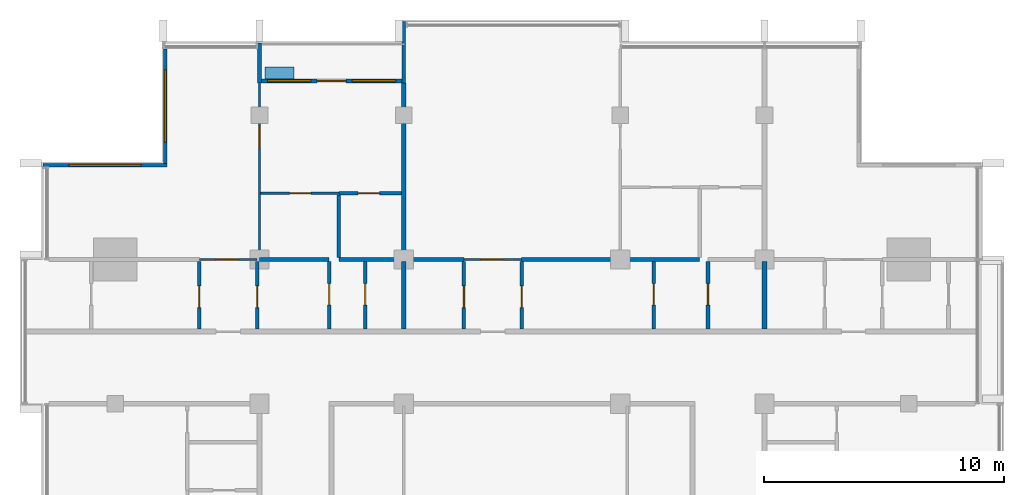
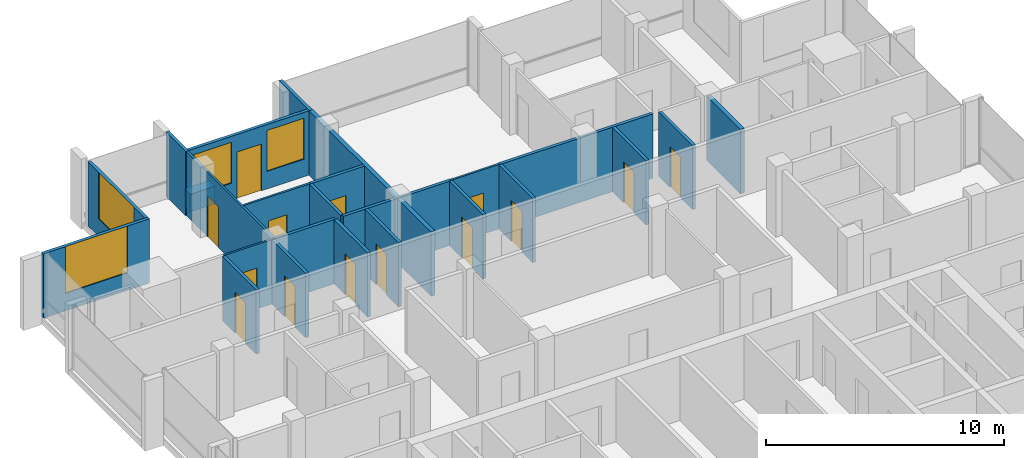
# One storey, part 10 of 16: 26 walls, 14 doors, 4 windows, 18 openings.
"""IFC4 building model written with IfcOpenShell, lengths in metres."""

from ifc_helpers import new_model, si_unit, direction, frame, frame_2d, origin, place, context, subcontext, project, spatial, rectangle, extrude, material, layer, layer_set, type_object, element, fill, save


model = new_model("IFC4")

# Units and contexts
model_context = context("Model", 3, precision=1e-05, world=origin(), true_north=direction((0.0, 1.0)))
body_context = subcontext(model_context, "Body", "Model", "MODEL_VIEW")
ifc_project = project(units=[si_unit("LENGTHUNIT", "METRE"), si_unit("AREAUNIT", "SQUARE_METRE"), si_unit("VOLUMEUNIT", "CUBIC_METRE"), si_unit("PLANEANGLEUNIT", "RADIAN"), si_unit("MASSUNIT", "GRAM", prefix="KILO")], contexts=[model_context])

# Site, building, storey
site_placement = place(None, origin())
site = spatial("IfcSite", under=ifc_project, at=site_placement, CompositionType="ELEMENT")
building_placement = place(site_placement, origin())
building = spatial("IfcBuilding", under=site, at=building_placement, Name="Finial Court Residences", CompositionType="ELEMENT")
storey_placement = place(building_placement, frame((0.0, 0.0, 291.5)))
storey = spatial("IfcBuildingStorey", under=building, at=storey_placement, Name="L74", CompositionType="ELEMENT", Elevation=291.5)

# Walls
ifc_material_1 = material(Name="Gypsum board")
ifc_layer_1 = layer(ifc_material_1, 0.02490234375)
ifc_material_2 = material(Name="Acoustic mineral wool in double frame")
ifc_layer_2 = layer(ifc_material_2, 0.14990234375)
ifc_layer_3 = layer(ifc_material_1, 0.02490234375)
ifc_layer_set_1 = layer_set([ifc_layer_1, ifc_layer_2, ifc_layer_3], Name="Acoustic party wall 200, 1 hour")
wall_type_1 = type_object("IfcWallType", Name="Acoustic party wall 200, 1 hour", PredefinedType="PARTITIONING", material=ifc_layer_set_1)
wall_1_placement = place(storey_placement, frame((-4.5, 4.60009765625, 0.0), z_axis=(0.0, 0.0, 1.0), x_axis=(0.0, 1.0, 0.0)))
element("IfcWall", 1, at=wall_1_placement, inside=storey, type_object=wall_type_1, Name="Partition L74-043", PredefinedType="PARTITIONING", context=body_context, shape_type="SweptSolid", body=[
    extrude(rectangle(XDim=2.824951171875, YDim=0.199951171875, at=frame_2d((1.41259765625, 0.0))), origin(), (0.0, 0.0, 1.0), 3.300048828125),
])
wall_2_placement = place(storey_placement, frame((-4.5, 7.574951171875, 0.0), z_axis=(0.0, 0.0, 1.0), x_axis=(0.0, 1.0, 0.0)))
element("IfcWall", 2, at=wall_2_placement, inside=storey, type_object=wall_type_1, Name="Partition L74-044", PredefinedType="PARTITIONING", context=body_context, shape_type="SweptSolid", body=[
    extrude(rectangle(XDim=7.275146484375, YDim=0.199951171875, at=frame_2d((3.6376953125, 0.0))), origin(), (0.0, 0.0, 1.0), 3.300048828125),
])
wall_3_placement = place(storey_placement, frame((10.5, 4.60009765625, 0.0), z_axis=(0.0, 0.0, 1.0), x_axis=(0.0, 1.0, 0.0)))
element("IfcWall", 3, at=wall_3_placement, inside=storey, type_object=wall_type_1, Name="Partition L74-054", PredefinedType="PARTITIONING", context=body_context, shape_type="SweptSolid", body=[
    extrude(rectangle(XDim=2.824951171875, YDim=0.199951171875, at=frame_2d((1.41259765625, 0.0))), origin(), (0.0, 0.0, 1.0), 3.300048828125),
])

# Wall, opening, door
ifc_layer_4 = layer(ifc_material_1, 0.012451171875)
ifc_material_3 = material(Name="Mineral wool in light-gauge frame")
ifc_layer_5 = layer(ifc_material_3, 0.074951171875)
ifc_layer_6 = layer(ifc_material_1, 0.012451171875)
ifc_layer_set_2 = layer_set([ifc_layer_4, ifc_layer_5, ifc_layer_6], Name="Gypsum board partition 100")
wall_type_2 = type_object("IfcWallType", Name="Gypsum board partition 100", PredefinedType="PARTITIONING", material=ifc_layer_set_2)
wall_4_placement = place(storey_placement, frame((-13.0, 7.5, 0.0), z_axis=(0.0, 0.0, 1.0), x_axis=(1.0, 0.0, 0.0)))
wall_4 = element("IfcWall", 4, at=wall_4_placement, inside=storey, type_object=wall_type_2, Name="Partition L74-017", PredefinedType="PARTITIONING", context=body_context, shape_type="SweptSolid", body=[
    extrude(rectangle(XDim=2.39990234375, YDim=0.10009765625, at=frame_2d((1.199951171875, 0.0))), origin(), (0.0, 0.0, 1.0), 3.300048828125),
])
opening_1_placement = place(wall_4_placement, frame((0.699951171875, 0.0, 0.0)))
opening_1 = element("IfcOpeningElement", 5, at=opening_1_placement, cuts=wall_4, Name="Opening L74-D019", PredefinedType="OPENING", context=body_context, shape_type="SweptSolid", body=[
    extrude(rectangle(XDim=0.89990234375, YDim=2.10009765625, at=frame_2d((0.449951171875, 1.050048828125))), frame((0.0, 0.06005859375, 0.0), z_axis=(0.0, -1.0, 0.0), x_axis=(1.0, 0.0, 0.0)), (0.0, 0.0, 1.0), 0.1201171875),
])
ifc_material_4 = material(Name="Timber door leaf in timber frame", Category="wood")
door_type_1 = type_object("IfcDoorType", Name="Door set 900 x 2100", OperationType="SINGLE_SWING_LEFT", PredefinedType="DOOR", material=ifc_material_4)
door_1_placement = place(opening_1_placement, origin())
door_1 = element("IfcDoor", 6, at=door_1_placement, inside=storey, type_object=door_type_1, Name="Door L74-D019", OperationType="SINGLE_SWING_RIGHT", OverallHeight=2.10009765625, OverallWidth=0.89990234375, PredefinedType="DOOR", context=body_context, shape_type="SweptSolid", body=[
    extrude(rectangle(XDim=0.89990234375, YDim=2.10009765625, at=frame_2d((0.449951171875, 1.050048828125))), frame((0.0, 0.02490234375, 0.0), z_axis=(0.0, -1.0, 0.0), x_axis=(1.0, 0.0, 0.0)), (0.0, 0.0, 1.0), 0.050048828125),
])
fill(opening_1, door_1)

wall_5_placement = place(storey_placement, frame((-2.0, 7.5, 0.0), z_axis=(0.0, 0.0, 1.0), x_axis=(1.0, 0.0, 0.0)))
wall_5 = element("IfcWall", 7, at=wall_5_placement, inside=storey, type_object=wall_type_2, Name="Partition L74-018", PredefinedType="PARTITIONING", context=body_context, shape_type="SweptSolid", body=[
    extrude(rectangle(XDim=2.39990234375, YDim=0.10009765625, at=frame_2d((1.199951171875, 0.0))), origin(), (0.0, 0.0, 1.0), 3.300048828125),
])
opening_2_placement = place(wall_5_placement, frame((0.699951171875, 0.0, 0.0)))
opening_2 = element("IfcOpeningElement", 8, at=opening_2_placement, cuts=wall_5, Name="Opening L74-D020", PredefinedType="OPENING", context=body_context, shape_type="SweptSolid", body=[
    extrude(rectangle(XDim=0.89990234375, YDim=2.10009765625, at=frame_2d((0.449951171875, 1.050048828125))), frame((0.0, 0.06005859375, 0.0), z_axis=(0.0, -1.0, 0.0), x_axis=(1.0, 0.0, 0.0)), (0.0, 0.0, 1.0), 0.1201171875),
])
door_2_placement = place(opening_2_placement, origin())
door_2 = element("IfcDoor", 9, at=door_2_placement, inside=storey, type_object=door_type_1, Name="Door L74-D020", OperationType="SINGLE_SWING_RIGHT", OverallHeight=2.10009765625, OverallWidth=0.89990234375, PredefinedType="DOOR", context=body_context, shape_type="SweptSolid", body=[
    extrude(rectangle(XDim=0.89990234375, YDim=2.10009765625, at=frame_2d((0.449951171875, 1.050048828125))), frame((0.0, 0.02490234375, 0.0), z_axis=(0.0, -1.0, 0.0), x_axis=(1.0, 0.0, 0.0)), (0.0, 0.0, 1.0), 0.050048828125),
])
fill(opening_2, door_2)

wall_6_placement = place(storey_placement, frame((-10.449951171875, 10.25, 0.0), z_axis=(0.0, 0.0, 1.0), x_axis=(1.0, 0.0, 0.0)))
wall_6 = element("IfcWall", 10, at=wall_6_placement, inside=storey, type_object=wall_type_2, Name="Partition L74-026", PredefinedType="PARTITIONING", context=body_context, shape_type="SweptSolid", body=[
    extrude(rectangle(XDim=3.25, YDim=0.10009765625, at=frame_2d((1.625, 0.0))), origin(), (0.0, 0.0, 1.0), 3.300048828125),
])
opening_3_placement = place(wall_6_placement, frame((1.199951171875, 0.0, 0.0)))
opening_3 = element("IfcOpeningElement", 11, at=opening_3_placement, cuts=wall_6, Name="Opening L74-D022", PredefinedType="OPENING", context=body_context, shape_type="SweptSolid", body=[
    extrude(rectangle(XDim=0.89990234375, YDim=2.10009765625, at=frame_2d((0.449951171875, 1.050048828125))), frame((0.0, 0.06005859375, 0.0), z_axis=(0.0, -1.0, 0.0), x_axis=(1.0, 0.0, 0.0)), (0.0, 0.0, 1.0), 0.1201171875),
])
door_3_placement = place(opening_3_placement, origin())
door_3 = element("IfcDoor", 12, at=door_3_placement, inside=storey, type_object=door_type_1, Name="Door L74-D022", OperationType="SINGLE_SWING_RIGHT", OverallHeight=2.10009765625, OverallWidth=0.89990234375, PredefinedType="DOOR", context=body_context, shape_type="SweptSolid", body=[
    extrude(rectangle(XDim=0.89990234375, YDim=2.10009765625, at=frame_2d((0.449951171875, 1.050048828125))), frame((0.0, 0.02490234375, 0.0), z_axis=(0.0, -1.0, 0.0), x_axis=(1.0, 0.0, 0.0)), (0.0, 0.0, 1.0), 0.050048828125),
])
fill(opening_3, door_3)

wall_7_placement = place(storey_placement, frame((-10.5, 7.574951171875, 0.0), z_axis=(0.0, 0.0, 1.0), x_axis=(0.0, 1.0, 0.0)))
wall_7 = element("IfcWall", 13, at=wall_7_placement, inside=storey, type_object=wall_type_2, Name="Partition L74-037", PredefinedType="PARTITIONING", context=body_context, shape_type="SweptSolid", body=[
    extrude(rectangle(XDim=7.275146484375, YDim=0.10009765625, at=frame_2d((3.6376953125, 0.0))), origin(), (0.0, 0.0, 1.0), 3.300048828125),
])
opening_4_placement = place(wall_7_placement, frame((4.574951171875, 0.0, 0.0)))
opening_4 = element("IfcOpeningElement", 14, at=opening_4_placement, cuts=wall_7, Name="Opening L74-D031", PredefinedType="OPENING", context=body_context, shape_type="SweptSolid", body=[
    extrude(rectangle(XDim=0.89990234375, YDim=2.10009765625, at=frame_2d((0.449951171875, 1.050048828125))), frame((0.0, 0.06005859375, 0.0), z_axis=(0.0, -1.0, 0.0), x_axis=(1.0, 0.0, 0.0)), (0.0, 0.0, 1.0), 0.1201171875),
])
door_4_placement = place(opening_4_placement, origin())
door_4 = element("IfcDoor", 15, at=door_4_placement, inside=storey, type_object=door_type_1, Name="Door L74-D031", OperationType="SINGLE_SWING_RIGHT", OverallHeight=2.10009765625, OverallWidth=0.89990234375, PredefinedType="DOOR", context=body_context, shape_type="SweptSolid", body=[
    extrude(rectangle(XDim=0.89990234375, YDim=2.10009765625, at=frame_2d((0.449951171875, 1.050048828125))), frame((0.0, 0.02490234375, 0.0), z_axis=(0.0, -1.0, 0.0), x_axis=(1.0, 0.0, 0.0)), (0.0, 0.0, 1.0), 0.050048828125),
])
fill(opening_4, door_4)

# Walls
ifc_material_5 = material(Name="Moisture-resistant gypsum board")
ifc_layer_7 = layer(ifc_material_5, 0.012451171875)
ifc_layer_8 = layer(ifc_material_3, 0.125)
ifc_layer_9 = layer(ifc_material_5, 0.012451171875)
ifc_layer_set_3 = layer_set([ifc_layer_7, ifc_layer_8, ifc_layer_9], Name="Gypsum board wet-area partition 150")
wall_type_3 = type_object("IfcWallType", Name="Gypsum board wet-area partition 150", PredefinedType="PARTITIONING", material=ifc_layer_set_3)
wall_8_placement = place(storey_placement, frame((-10.5, 7.5, 0.0), z_axis=(0.0, 0.0, 1.0), x_axis=(1.0, 0.0, 0.0)))
element("IfcWall", 16, at=wall_8_placement, inside=storey, type_object=wall_type_3, Name="Partition L74-021", PredefinedType="PARTITIONING", context=body_context, shape_type="SweptSolid", body=[
    extrude(rectangle(XDim=2.89990234375, YDim=0.14990234375, at=frame_2d((1.449951171875, 0.0))), origin(), (0.0, 0.0, 1.0), 3.300048828125),
])
wall_9_placement = place(storey_placement, frame((-7.199951171875, 7.5, 0.0), z_axis=(0.0, 0.0, 1.0), x_axis=(1.0, 0.0, 0.0)))
element("IfcWall", 17, at=wall_9_placement, inside=storey, type_object=wall_type_3, Name="Partition L74-022", PredefinedType="PARTITIONING", context=body_context, shape_type="SweptSolid", body=[
    extrude(rectangle(XDim=5.199951171875, YDim=0.14990234375, at=frame_2d((2.60009765625, 0.0))), origin(), (0.0, 0.0, 1.0), 3.300048828125),
])
wall_10_placement = place(storey_placement, frame((0.39990234375, 7.5, 0.0), z_axis=(0.0, 0.0, 1.0), x_axis=(1.0, 0.0, 0.0)))
element("IfcWall", 18, at=wall_10_placement, inside=storey, type_object=wall_type_3, Name="Partition L74-023", PredefinedType="PARTITIONING", context=body_context, shape_type="SweptSolid", body=[
    extrude(rectangle(XDim=7.400146484375, YDim=0.14990234375, at=frame_2d((3.7001953125, 0.0))), origin(), (0.0, 0.0, 1.0), 3.300048828125),
])

# Wall, opening, door
wall_11_placement = place(storey_placement, frame((-7.199951171875, 10.25, 0.0), z_axis=(0.0, 0.0, 1.0), x_axis=(1.0, 0.0, 0.0)))
wall_11 = element("IfcWall", 19, at=wall_11_placement, inside=storey, type_object=wall_type_3, Name="Partition L74-027", PredefinedType="PARTITIONING", context=body_context, shape_type="SweptSolid", body=[
    extrude(rectangle(XDim=2.599853515625, YDim=0.14990234375, at=frame_2d((1.2998046875, 0.0))), origin(), (0.0, 0.0, 1.0), 3.300048828125),
])
opening_5_placement = place(wall_11_placement, frame((0.800048828125, 0.0, 0.0)))
opening_5 = element("IfcOpeningElement", 20, at=opening_5_placement, cuts=wall_11, Name="Opening L74-D023", PredefinedType="OPENING", context=body_context, shape_type="SweptSolid", body=[
    extrude(rectangle(XDim=0.89990234375, YDim=2.10009765625, at=frame_2d((0.449951171875, 1.050048828125))), frame((0.0, 0.0849609375, 0.0), z_axis=(0.0, -1.0, 0.0), x_axis=(1.0, 0.0, 0.0)), (0.0, 0.0, 1.0), 0.169921875),
])
door_5_placement = place(opening_5_placement, origin())
door_5 = element("IfcDoor", 21, at=door_5_placement, inside=storey, type_object=door_type_1, Name="Door L74-D023", OperationType="SINGLE_SWING_LEFT", OverallHeight=2.10009765625, OverallWidth=0.89990234375, PredefinedType="DOOR", context=body_context, shape_type="SweptSolid", body=[
    extrude(rectangle(XDim=0.89990234375, YDim=2.10009765625, at=frame_2d((0.449951171875, 1.050048828125))), frame((0.0, 0.02490234375, 0.0), z_axis=(0.0, -1.0, 0.0), x_axis=(1.0, 0.0, 0.0)), (0.0, 0.0, 1.0), 0.050048828125),
])
fill(opening_5, door_5)

wall_12_placement = place(storey_placement, frame((-13.0, 4.60009765625, 0.0), z_axis=(0.0, 0.0, 1.0), x_axis=(0.0, 1.0, 0.0)))
wall_12 = element("IfcWall", 22, at=wall_12_placement, inside=storey, type_object=wall_type_3, Name="Partition L74-034", PredefinedType="PARTITIONING", context=body_context, shape_type="SweptSolid", body=[
    extrude(rectangle(XDim=2.824951171875, YDim=0.14990234375, at=frame_2d((1.41259765625, 0.0))), origin(), (0.0, 0.0, 1.0), 3.300048828125),
])
opening_6_placement = place(wall_12_placement, frame((0.89990234375, 0.0, 0.0)))
opening_6 = element("IfcOpeningElement", 23, at=opening_6_placement, cuts=wall_12, Name="Opening L74-D029", PredefinedType="OPENING", context=body_context, shape_type="SweptSolid", body=[
    extrude(rectangle(XDim=0.89990234375, YDim=2.10009765625, at=frame_2d((0.449951171875, 1.050048828125))), frame((0.0, 0.0849609375, 0.0), z_axis=(0.0, -1.0, 0.0), x_axis=(1.0, 0.0, 0.0)), (0.0, 0.0, 1.0), 0.169921875),
])
door_6_placement = place(opening_6_placement, origin())
door_6 = element("IfcDoor", 24, at=door_6_placement, inside=storey, type_object=door_type_1, Name="Door L74-D029", OperationType="SINGLE_SWING_LEFT", OverallHeight=2.10009765625, OverallWidth=0.89990234375, PredefinedType="DOOR", context=body_context, shape_type="SweptSolid", body=[
    extrude(rectangle(XDim=0.89990234375, YDim=2.10009765625, at=frame_2d((0.449951171875, 1.050048828125))), frame((0.0, 0.02490234375, 0.0), z_axis=(0.0, -1.0, 0.0), x_axis=(1.0, 0.0, 0.0)), (0.0, 0.0, 1.0), 0.050048828125),
])
fill(opening_6, door_6)

wall_13_placement = place(storey_placement, frame((-10.60009765625, 4.60009765625, 0.0), z_axis=(0.0, 0.0, 1.0), x_axis=(0.0, 1.0, 0.0)))
wall_13 = element("IfcWall", 25, at=wall_13_placement, inside=storey, type_object=wall_type_3, Name="Partition L74-035", PredefinedType="PARTITIONING", context=body_context, shape_type="SweptSolid", body=[
    extrude(rectangle(XDim=2.824951171875, YDim=0.14990234375, at=frame_2d((1.41259765625, 0.0))), origin(), (0.0, 0.0, 1.0), 3.300048828125),
])
opening_7_placement = place(wall_13_placement, frame((0.89990234375, 0.0, 0.0)))
opening_7 = element("IfcOpeningElement", 26, at=opening_7_placement, cuts=wall_13, Name="Opening L74-D030", PredefinedType="OPENING", context=body_context, shape_type="SweptSolid", body=[
    extrude(rectangle(XDim=0.89990234375, YDim=2.10009765625, at=frame_2d((0.449951171875, 1.050048828125))), frame((0.0, 0.0849609375, 0.0), z_axis=(0.0, -1.0, 0.0), x_axis=(1.0, 0.0, 0.0)), (0.0, 0.0, 1.0), 0.169921875),
])
door_7_placement = place(opening_7_placement, origin())
door_7 = element("IfcDoor", 27, at=door_7_placement, inside=storey, type_object=door_type_1, Name="Door L74-D030", OperationType="SINGLE_SWING_LEFT", OverallHeight=2.10009765625, OverallWidth=0.89990234375, PredefinedType="DOOR", context=body_context, shape_type="SweptSolid", body=[
    extrude(rectangle(XDim=0.89990234375, YDim=2.10009765625, at=frame_2d((0.449951171875, 1.050048828125))), frame((0.0, 0.02490234375, 0.0), z_axis=(0.0, -1.0, 0.0), x_axis=(1.0, 0.0, 0.0)), (0.0, 0.0, 1.0), 0.050048828125),
])
fill(opening_7, door_7)

wall_14_placement = place(storey_placement, frame((-7.60009765625, 4.60009765625, 0.0), z_axis=(0.0, 0.0, 1.0), x_axis=(0.0, 1.0, 0.0)))
wall_14 = element("IfcWall", 28, at=wall_14_placement, inside=storey, type_object=wall_type_3, Name="Partition L74-038", PredefinedType="PARTITIONING", context=body_context, shape_type="SweptSolid", body=[
    extrude(rectangle(XDim=2.824951171875, YDim=0.14990234375, at=frame_2d((1.41259765625, 0.0))), origin(), (0.0, 0.0, 1.0), 3.300048828125),
])
opening_8_placement = place(wall_14_placement, frame((1.0, 0.0, 0.0)))
opening_8 = element("IfcOpeningElement", 29, at=opening_8_placement, cuts=wall_14, Name="Opening L74-D032", PredefinedType="OPENING", context=body_context, shape_type="SweptSolid", body=[
    extrude(rectangle(XDim=0.89990234375, YDim=2.10009765625, at=frame_2d((0.449951171875, 1.050048828125))), frame((0.0, 0.0849609375, 0.0), z_axis=(0.0, -1.0, 0.0), x_axis=(1.0, 0.0, 0.0)), (0.0, 0.0, 1.0), 0.169921875),
])
door_8_placement = place(opening_8_placement, origin())
door_8 = element("IfcDoor", 30, at=door_8_placement, inside=storey, type_object=door_type_1, Name="Door L74-D032", OperationType="SINGLE_SWING_RIGHT", OverallHeight=2.10009765625, OverallWidth=0.89990234375, PredefinedType="DOOR", context=body_context, shape_type="SweptSolid", body=[
    extrude(rectangle(XDim=0.89990234375, YDim=2.10009765625, at=frame_2d((0.449951171875, 1.050048828125))), frame((0.0, 0.02490234375, 0.0), z_axis=(0.0, -1.0, 0.0), x_axis=(1.0, 0.0, 0.0)), (0.0, 0.0, 1.0), 0.050048828125),
])
fill(opening_8, door_8)

# Wall
wall_15_placement = place(storey_placement, frame((-7.199951171875, 7.574951171875, 0.0), z_axis=(0.0, 0.0, 1.0), x_axis=(0.0, 1.0, 0.0)))
element("IfcWall", 31, at=wall_15_placement, inside=storey, type_object=wall_type_3, Name="Partition L74-040", PredefinedType="PARTITIONING", context=body_context, shape_type="SweptSolid", body=[
    extrude(rectangle(XDim=2.60009765625, YDim=0.14990234375, at=frame_2d((1.300048828125, 0.0))), origin(), (0.0, 0.0, 1.0), 3.300048828125),
])

# Wall, opening, door
wall_16_placement = place(storey_placement, frame((-6.10009765625, 4.60009765625, 0.0), z_axis=(0.0, 0.0, 1.0), x_axis=(0.0, 1.0, 0.0)))
wall_16 = element("IfcWall", 32, at=wall_16_placement, inside=storey, type_object=wall_type_3, Name="Partition L74-041", PredefinedType="PARTITIONING", context=body_context, shape_type="SweptSolid", body=[
    extrude(rectangle(XDim=2.824951171875, YDim=0.14990234375, at=frame_2d((1.41259765625, 0.0))), origin(), (0.0, 0.0, 1.0), 3.300048828125),
])
opening_9_placement = place(wall_16_placement, frame((1.0, 0.0, 0.0)))
opening_9 = element("IfcOpeningElement", 33, at=opening_9_placement, cuts=wall_16, Name="Opening L74-D033", PredefinedType="OPENING", context=body_context, shape_type="SweptSolid", body=[
    extrude(rectangle(XDim=0.89990234375, YDim=2.10009765625, at=frame_2d((0.449951171875, 1.050048828125))), frame((0.0, 0.0849609375, 0.0), z_axis=(0.0, -1.0, 0.0), x_axis=(1.0, 0.0, 0.0)), (0.0, 0.0, 1.0), 0.169921875),
])
door_9_placement = place(opening_9_placement, origin())
door_9 = element("IfcDoor", 34, at=door_9_placement, inside=storey, type_object=door_type_1, Name="Door L74-D033", OperationType="SINGLE_SWING_LEFT", OverallHeight=2.10009765625, OverallWidth=0.89990234375, PredefinedType="DOOR", context=body_context, shape_type="SweptSolid", body=[
    extrude(rectangle(XDim=0.89990234375, YDim=2.10009765625, at=frame_2d((0.449951171875, 1.050048828125))), frame((0.0, 0.02490234375, 0.0), z_axis=(0.0, -1.0, 0.0), x_axis=(1.0, 0.0, 0.0)), (0.0, 0.0, 1.0), 0.050048828125),
])
fill(opening_9, door_9)

wall_17_placement = place(storey_placement, frame((-2.0, 4.60009765625, 0.0), z_axis=(0.0, 0.0, 1.0), x_axis=(0.0, 1.0, 0.0)))
wall_17 = element("IfcWall", 35, at=wall_17_placement, inside=storey, type_object=wall_type_3, Name="Partition L74-045", PredefinedType="PARTITIONING", context=body_context, shape_type="SweptSolid", body=[
    extrude(rectangle(XDim=2.824951171875, YDim=0.14990234375, at=frame_2d((1.41259765625, 0.0))), origin(), (0.0, 0.0, 1.0), 3.300048828125),
])
opening_10_placement = place(wall_17_placement, frame((0.89990234375, 0.0, 0.0)))
opening_10 = element("IfcOpeningElement", 36, at=opening_10_placement, cuts=wall_17, Name="Opening L74-D034", PredefinedType="OPENING", context=body_context, shape_type="SweptSolid", body=[
    extrude(rectangle(XDim=0.89990234375, YDim=2.10009765625, at=frame_2d((0.449951171875, 1.050048828125))), frame((0.0, 0.0849609375, 0.0), z_axis=(0.0, -1.0, 0.0), x_axis=(1.0, 0.0, 0.0)), (0.0, 0.0, 1.0), 0.169921875),
])
door_10_placement = place(opening_10_placement, origin())
door_10 = element("IfcDoor", 37, at=door_10_placement, inside=storey, type_object=door_type_1, Name="Door L74-D034", OperationType="SINGLE_SWING_RIGHT", OverallHeight=2.10009765625, OverallWidth=0.89990234375, PredefinedType="DOOR", context=body_context, shape_type="SweptSolid", body=[
    extrude(rectangle(XDim=0.89990234375, YDim=2.10009765625, at=frame_2d((0.449951171875, 1.050048828125))), frame((0.0, 0.02490234375, 0.0), z_axis=(0.0, -1.0, 0.0), x_axis=(1.0, 0.0, 0.0)), (0.0, 0.0, 1.0), 0.050048828125),
])
fill(opening_10, door_10)

wall_18_placement = place(storey_placement, frame((0.39990234375, 4.60009765625, 0.0), z_axis=(0.0, 0.0, 1.0), x_axis=(0.0, 1.0, 0.0)))
wall_18 = element("IfcWall", 38, at=wall_18_placement, inside=storey, type_object=wall_type_3, Name="Partition L74-046", PredefinedType="PARTITIONING", context=body_context, shape_type="SweptSolid", body=[
    extrude(rectangle(XDim=2.824951171875, YDim=0.14990234375, at=frame_2d((1.41259765625, 0.0))), origin(), (0.0, 0.0, 1.0), 3.300048828125),
])
opening_11_placement = place(wall_18_placement, frame((0.89990234375, 0.0, 0.0)))
opening_11 = element("IfcOpeningElement", 39, at=opening_11_placement, cuts=wall_18, Name="Opening L74-D035", PredefinedType="OPENING", context=body_context, shape_type="SweptSolid", body=[
    extrude(rectangle(XDim=0.89990234375, YDim=2.10009765625, at=frame_2d((0.449951171875, 1.050048828125))), frame((0.0, 0.0849609375, 0.0), z_axis=(0.0, -1.0, 0.0), x_axis=(1.0, 0.0, 0.0)), (0.0, 0.0, 1.0), 0.169921875),
])
door_11_placement = place(opening_11_placement, origin())
door_11 = element("IfcDoor", 40, at=door_11_placement, inside=storey, type_object=door_type_1, Name="Door L74-D035", OperationType="SINGLE_SWING_RIGHT", OverallHeight=2.10009765625, OverallWidth=0.89990234375, PredefinedType="DOOR", context=body_context, shape_type="SweptSolid", body=[
    extrude(rectangle(XDim=0.89990234375, YDim=2.10009765625, at=frame_2d((0.449951171875, 1.050048828125))), frame((0.0, 0.02490234375, 0.0), z_axis=(0.0, -1.0, 0.0), x_axis=(1.0, 0.0, 0.0)), (0.0, 0.0, 1.0), 0.050048828125),
])
fill(opening_11, door_11)

wall_19_placement = place(storey_placement, frame((5.89990234375, 4.60009765625, 0.0), z_axis=(0.0, 0.0, 1.0), x_axis=(0.0, 1.0, 0.0)))
wall_19 = element("IfcWall", 41, at=wall_19_placement, inside=storey, type_object=wall_type_3, Name="Partition L74-049", PredefinedType="PARTITIONING", context=body_context, shape_type="SweptSolid", body=[
    extrude(rectangle(XDim=2.824951171875, YDim=0.14990234375, at=frame_2d((1.41259765625, 0.0))), origin(), (0.0, 0.0, 1.0), 3.300048828125),
])
opening_12_placement = place(wall_19_placement, frame((1.0, 0.0, 0.0)))
opening_12 = element("IfcOpeningElement", 42, at=opening_12_placement, cuts=wall_19, Name="Opening L74-D037", PredefinedType="OPENING", context=body_context, shape_type="SweptSolid", body=[
    extrude(rectangle(XDim=0.89990234375, YDim=2.10009765625, at=frame_2d((0.449951171875, 1.050048828125))), frame((0.0, 0.0849609375, 0.0), z_axis=(0.0, -1.0, 0.0), x_axis=(1.0, 0.0, 0.0)), (0.0, 0.0, 1.0), 0.169921875),
])
door_12_placement = place(opening_12_placement, origin())
door_12 = element("IfcDoor", 43, at=door_12_placement, inside=storey, type_object=door_type_1, Name="Door L74-D037", OperationType="SINGLE_SWING_RIGHT", OverallHeight=2.10009765625, OverallWidth=0.89990234375, PredefinedType="DOOR", context=body_context, shape_type="SweptSolid", body=[
    extrude(rectangle(XDim=0.89990234375, YDim=2.10009765625, at=frame_2d((0.449951171875, 1.050048828125))), frame((0.0, 0.02490234375, 0.0), z_axis=(0.0, -1.0, 0.0), x_axis=(1.0, 0.0, 0.0)), (0.0, 0.0, 1.0), 0.050048828125),
])
fill(opening_12, door_12)

wall_20_placement = place(storey_placement, frame((8.14990234375, 4.60009765625, 0.0), z_axis=(0.0, 0.0, 1.0), x_axis=(0.0, 1.0, 0.0)))
wall_20 = element("IfcWall", 44, at=wall_20_placement, inside=storey, type_object=wall_type_3, Name="Partition L74-052", PredefinedType="PARTITIONING", context=body_context, shape_type="SweptSolid", body=[
    extrude(rectangle(XDim=2.824951171875, YDim=0.14990234375, at=frame_2d((1.41259765625, 0.0))), origin(), (0.0, 0.0, 1.0), 3.300048828125),
])
opening_13_placement = place(wall_20_placement, frame((1.0, 0.0, 0.0)))
opening_13 = element("IfcOpeningElement", 45, at=opening_13_placement, cuts=wall_20, Name="Opening L74-D038", PredefinedType="OPENING", context=body_context, shape_type="SweptSolid", body=[
    extrude(rectangle(XDim=0.89990234375, YDim=2.10009765625, at=frame_2d((0.449951171875, 1.050048828125))), frame((0.0, 0.0849609375, 0.0), z_axis=(0.0, -1.0, 0.0), x_axis=(1.0, 0.0, 0.0)), (0.0, 0.0, 1.0), 0.169921875),
])
door_13_placement = place(opening_13_placement, origin())
door_13 = element("IfcDoor", 46, at=door_13_placement, inside=storey, type_object=door_type_1, Name="Door L74-D038", OperationType="SINGLE_SWING_RIGHT", OverallHeight=2.10009765625, OverallWidth=0.89990234375, PredefinedType="DOOR", context=body_context, shape_type="SweptSolid", body=[
    extrude(rectangle(XDim=0.89990234375, YDim=2.10009765625, at=frame_2d((0.449951171875, 1.050048828125))), frame((0.0, 0.02490234375, 0.0), z_axis=(0.0, -1.0, 0.0), x_axis=(1.0, 0.0, 0.0)), (0.0, 0.0, 1.0), 0.050048828125),
])
fill(opening_13, door_13)

# Wall, opening, window
ifc_material_6 = material(Name="Natural limestone", Category="masonry")
ifc_layer_10 = layer(ifc_material_6, 0.14990234375)
ifc_layer_set_4 = layer_set([ifc_layer_10], Name="Limestone clad wall 150")
wall_type_4 = type_object("IfcWallType", Name="Limestone clad wall 150", PredefinedType="SOLIDWALL", material=ifc_layer_set_4)
wall_21_placement = place(storey_placement, frame((-14.425048828125, 11.5, 0.0), z_axis=(0.0, 0.0, 1.0), x_axis=(0.0, 1.0, 0.0)))
wall_21 = element("IfcWall", 47, at=wall_21_placement, inside=storey, type_object=wall_type_4, Name="E-L74-NWW18", PredefinedType="SOLIDWALL", context=body_context, shape_type="SweptSolid", body=[
    extrude(rectangle(XDim=4.762451171875, YDim=0.14990234375, at=frame_2d((2.38134765625, 0.0))), origin(), (0.0, 0.0, 1.0), 3.300048828125),
])
opening_14_placement = place(wall_21_placement, frame((0.881103515625, 0.0, 0.89990234375)))
opening_14 = element("IfcOpeningElement", 48, at=opening_14_placement, cuts=wall_21, Name="Opening WE74-05", PredefinedType="OPENING", context=body_context, shape_type="SweptSolid", body=[
    extrude(rectangle(XDim=3.0, YDim=2.39990234375, at=frame_2d((1.5, 1.199951171875))), frame((0.0, 0.0849609375, 0.0), z_axis=(0.0, -1.0, 0.0), x_axis=(1.0, 0.0, 0.0)), (0.0, 0.0, 1.0), 0.169921875),
])
ifc_material_7 = material(Name="Clear low-e glass", Category="glass")
window_type_1 = type_object("IfcWindowType", Name="Corner window 3000 x 2400", PartitioningType="SINGLE_PANEL", PredefinedType="WINDOW", material=ifc_material_7)
window_1_placement = place(opening_14_placement, origin())
window_1 = element("IfcWindow", 49, at=window_1_placement, inside=storey, type_object=window_type_1, Name="E-L74-NWW18-W1", OverallHeight=2.39990234375, OverallWidth=3.0, PartitioningType="SINGLE_PANEL", PredefinedType="WINDOW", context=body_context, shape_type="SweptSolid", body=[
    extrude(rectangle(XDim=3.0, YDim=2.39990234375, at=frame_2d((1.5, 1.199951171875))), frame((0.0, 0.030029296875, 0.0), z_axis=(0.0, -1.0, 0.0), x_axis=(1.0, 0.0, 0.0)), (0.0, 0.0, 1.0), 0.06005859375),
])
fill(opening_14, window_1)

wall_22_placement = place(storey_placement, frame((-19.5, 11.425048828125, 0.0), z_axis=(0.0, 0.0, 1.0), x_axis=(1.0, 0.0, 0.0)))
wall_22 = element("IfcWall", 50, at=wall_22_placement, inside=storey, type_object=wall_type_4, Name="E-L74-NWN19", PredefinedType="SOLIDWALL", context=body_context, shape_type="SweptSolid", body=[
    extrude(rectangle(XDim=5.14990234375, YDim=0.14990234375, at=frame_2d((2.574951171875, 0.0))), origin(), (0.0, 0.0, 1.0), 3.300048828125),
])
opening_15_placement = place(wall_22_placement, frame((1.074951171875, 0.0, 0.89990234375)))
opening_15 = element("IfcOpeningElement", 51, at=opening_15_placement, cuts=wall_22, Name="Opening WE74-06", PredefinedType="OPENING", context=body_context, shape_type="SweptSolid", body=[
    extrude(rectangle(XDim=3.0, YDim=2.39990234375, at=frame_2d((1.5, 1.199951171875))), frame((0.0, 0.0849609375, 0.0), z_axis=(0.0, -1.0, 0.0), x_axis=(1.0, 0.0, 0.0)), (0.0, 0.0, 1.0), 0.169921875),
])
window_2_placement = place(opening_15_placement, origin())
window_2 = element("IfcWindow", 52, at=window_2_placement, inside=storey, type_object=window_type_1, Name="E-L74-NWN19-W1", OverallHeight=2.39990234375, OverallWidth=3.0, PartitioningType="SINGLE_PANEL", PredefinedType="WINDOW", context=body_context, shape_type="SweptSolid", body=[
    extrude(rectangle(XDim=3.0, YDim=2.39990234375, at=frame_2d((1.5, 1.199951171875))), frame((0.0, 0.030029296875, 0.0), z_axis=(0.0, -1.0, 0.0), x_axis=(1.0, 0.0, 0.0)), (0.0, 0.0, 1.0), 0.06005859375),
])
fill(opening_15, window_2)

# Walls
wall_23_placement = place(storey_placement, frame((-10.5, 14.85009765625, 0.0), z_axis=(0.0, 0.0, 1.0), x_axis=(0.0, 1.0, 0.0)))
element("IfcWall", 53, at=wall_23_placement, inside=storey, type_object=wall_type_4, Name="E-L74-BALN2-P1", PredefinedType="SOLIDWALL", context=body_context, shape_type="SweptSolid", body=[
    extrude(rectangle(XDim=1.64990234375, YDim=0.14990234375, at=frame_2d((0.824951171875, 0.0))), origin(), (0.0, 0.0, 1.0), 3.300048828125),
])
wall_24_placement = place(storey_placement, frame((-4.5, 14.85009765625, 0.0), z_axis=(0.0, 0.0, 1.0), x_axis=(0.0, 1.0, 0.0)))
element("IfcWall", 54, at=wall_24_placement, inside=storey, type_object=wall_type_4, Name="E-L74-BALN2-P2", PredefinedType="SOLIDWALL", context=body_context, shape_type="SweptSolid", body=[
    extrude(rectangle(XDim=2.5498046875, YDim=0.14990234375, at=frame_2d((1.27490234375, 0.0))), origin(), (0.0, 0.0, 1.0), 3.300048828125),
])

# Wall, openings, door, windows
wall_25_placement = place(storey_placement, frame((-10.425048828125, 14.925048828125, 0.0), z_axis=(0.0, 0.0, 1.0), x_axis=(1.0, 0.0, 0.0)))
wall_25 = element("IfcWall", 55, at=wall_25_placement, inside=storey, type_object=wall_type_4, Name="E-L74-L74-BALN2-W", PredefinedType="SOLIDWALL", context=body_context, shape_type="SweptSolid", body=[
    extrude(rectangle(XDim=5.85009765625, YDim=0.14990234375, at=frame_2d((2.925048828125, 0.0))), origin(), (0.0, 0.0, 1.0), 3.300048828125),
])
opening_16_placement = place(wall_25_placement, frame((2.324951171875, 0.0, 0.0)))
opening_16 = element("IfcOpeningElement", 56, at=opening_16_placement, cuts=wall_25, Name="Opening DE74-01", PredefinedType="OPENING", context=body_context, shape_type="SweptSolid", body=[
    extrude(rectangle(XDim=1.199951171875, YDim=2.39990234375, at=frame_2d((0.60009765625, 1.199951171875))), frame((0.0, 0.0849609375, 0.0), z_axis=(0.0, -1.0, 0.0), x_axis=(1.0, 0.0, 0.0)), (0.0, 0.0, 1.0), 0.169921875),
])
opening_17_placement = place(wall_25_placement, frame((0.262451171875, 0.0, 0.89990234375)))
opening_17 = element("IfcOpeningElement", 57, at=opening_17_placement, cuts=wall_25, Name="Opening WE74-09", PredefinedType="OPENING", context=body_context, shape_type="SweptSolid", body=[
    extrude(rectangle(XDim=1.800048828125, YDim=2.10009765625, at=frame_2d((0.89990234375, 1.050048828125))), frame((0.0, 0.0849609375, 0.0), z_axis=(0.0, -1.0, 0.0), x_axis=(1.0, 0.0, 0.0)), (0.0, 0.0, 1.0), 0.169921875),
])
opening_18_placement = place(wall_25_placement, frame((3.78759765625, 0.0, 0.89990234375)))
opening_18 = element("IfcOpeningElement", 58, at=opening_18_placement, cuts=wall_25, Name="Opening WE74-10", PredefinedType="OPENING", context=body_context, shape_type="SweptSolid", body=[
    extrude(rectangle(XDim=1.800048828125, YDim=2.10009765625, at=frame_2d((0.89990234375, 1.050048828125))), frame((0.0, 0.0849609375, 0.0), z_axis=(0.0, -1.0, 0.0), x_axis=(1.0, 0.0, 0.0)), (0.0, 0.0, 1.0), 0.169921875),
])
ifc_material_8 = material(Name="Bronze anodised aluminium", Category="aluminium")
door_type_2 = type_object("IfcDoorType", Name="Balcony door 1200 x 2400", OperationType="SINGLE_SWING_LEFT", PredefinedType="DOOR", material=ifc_material_8)
door_14_placement = place(opening_16_placement, origin())
door_14 = element("IfcDoor", 59, at=door_14_placement, inside=storey, type_object=door_type_2, Name="E-L74-L74-BALN2-W-D", OperationType="SINGLE_SWING_LEFT", OverallHeight=2.39990234375, OverallWidth=1.199951171875, PredefinedType="DOOR", context=body_context, shape_type="SweptSolid", body=[
    extrude(rectangle(XDim=1.199951171875, YDim=2.39990234375, at=frame_2d((0.60009765625, 1.199951171875))), frame((0.0, 0.02490234375, 0.0), z_axis=(0.0, -1.0, 0.0), x_axis=(1.0, 0.0, 0.0)), (0.0, 0.0, 1.0), 0.050048828125),
])
fill(opening_16, door_14)
window_type_2 = type_object("IfcWindowType", Name="Balcony window 1800 x 2100", PartitioningType="SINGLE_PANEL", PredefinedType="WINDOW", material=ifc_material_7)
window_3_placement = place(opening_17_placement, origin())
window_3 = element("IfcWindow", 60, at=window_3_placement, inside=storey, type_object=window_type_2, Name="E-L74-L74-BALN2-W-W1", OverallHeight=2.10009765625, OverallWidth=1.800048828125, PartitioningType="SINGLE_PANEL", PredefinedType="WINDOW", context=body_context, shape_type="SweptSolid", body=[
    extrude(rectangle(XDim=1.800048828125, YDim=2.10009765625, at=frame_2d((0.89990234375, 1.050048828125))), frame((0.0, 0.030029296875, 0.0), z_axis=(0.0, -1.0, 0.0), x_axis=(1.0, 0.0, 0.0)), (0.0, 0.0, 1.0), 0.06005859375),
])
fill(opening_17, window_3)
window_4_placement = place(opening_18_placement, origin())
window_4 = element("IfcWindow", 61, at=window_4_placement, inside=storey, type_object=window_type_2, Name="E-L74-L74-BALN2-W-W2", OverallHeight=2.10009765625, OverallWidth=1.800048828125, PartitioningType="SINGLE_PANEL", PredefinedType="WINDOW", context=body_context, shape_type="SweptSolid", body=[
    extrude(rectangle(XDim=1.800048828125, YDim=2.10009765625, at=frame_2d((0.89990234375, 1.050048828125))), frame((0.0, 0.030029296875, 0.0), z_axis=(0.0, -1.0, 0.0), x_axis=(1.0, 0.0, 0.0)), (0.0, 0.0, 1.0), 0.06005859375),
])
fill(opening_18, window_4)

# Wall
ifc_material_9 = material(Name="Concrete C40/50", Category="concrete")
ifc_layer_11 = layer(ifc_material_9, 0.10009765625)
ifc_material_10 = material(Name="Planting soil", Category="soil")
ifc_layer_12 = layer(ifc_material_10, 0.300048828125)
ifc_layer_13 = layer(ifc_material_9, 0.10009765625)
ifc_layer_set_5 = layer_set([ifc_layer_11, ifc_layer_12, ifc_layer_13], Name="Planter wall, balcony")
wall_type_5 = type_object("IfcWallType", Name="Planter wall, balcony", PredefinedType="USERDEFINED", material=ifc_layer_set_5)
wall_26_placement = place(storey_placement, frame((-10.27490234375, 15.25, 0.0), z_axis=(0.0, 0.0, 1.0), x_axis=(1.0, 0.0, 0.0)))
element("IfcWall", 62, at=wall_26_placement, inside=storey, type_object=wall_type_5, Name="E-L74-BALN2-PL", ObjectType="PLANTER", PredefinedType="USERDEFINED", context=body_context, shape_type="SweptSolid", body=[
    extrude(rectangle(XDim=1.199951171875, YDim=0.5, at=frame_2d((0.60009765625, 0.0))), origin(), (0.0, 0.0, 1.0), 0.89990234375),
])

save(model, "model.ifc")
